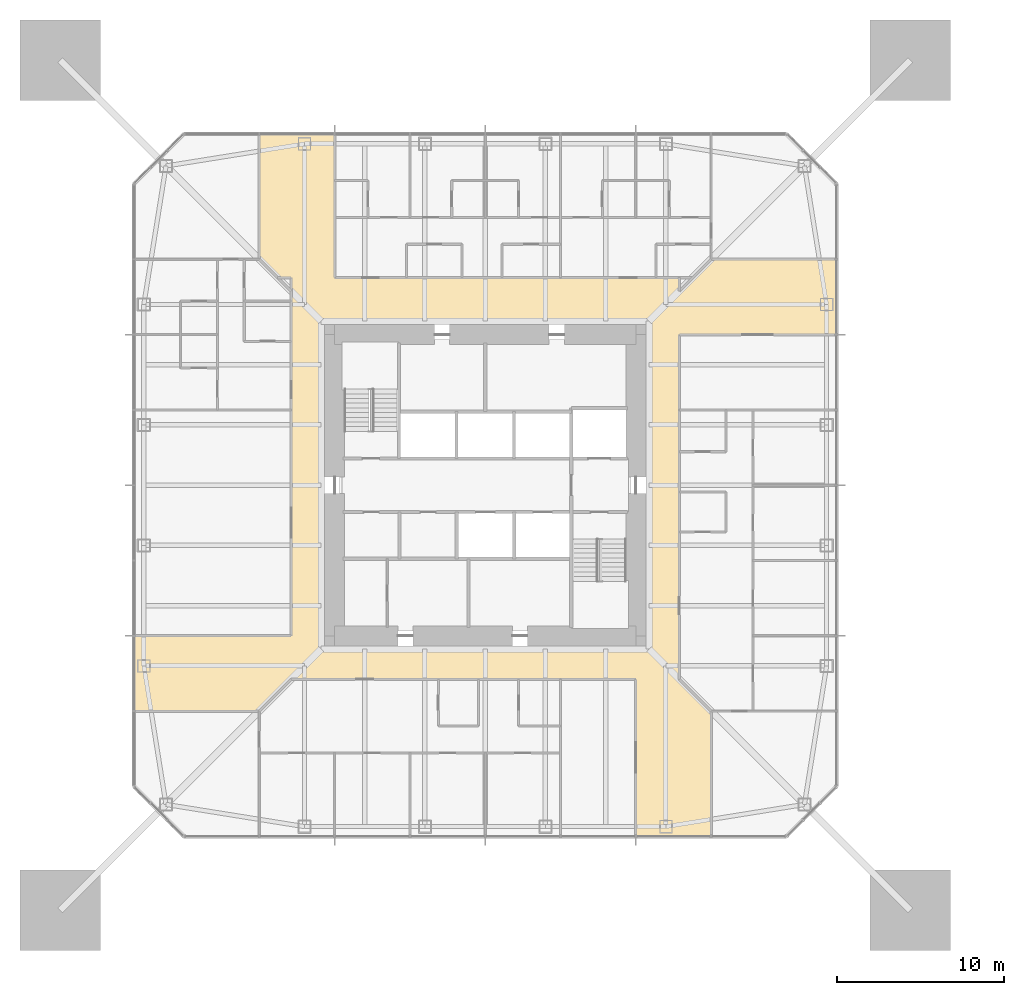
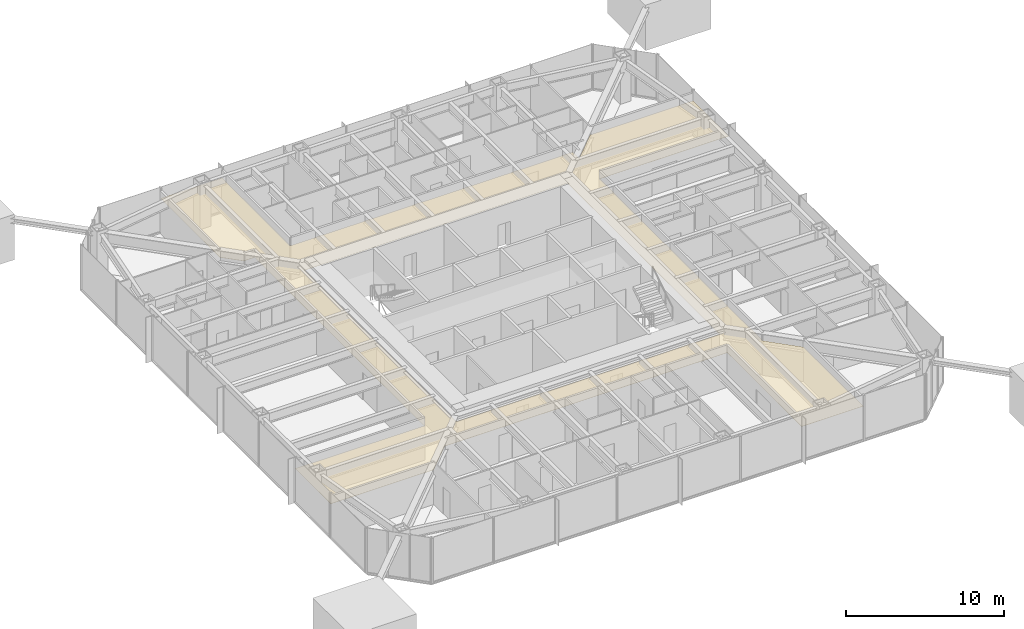
# One storey, part 22 of 25: 1 covering.
"""IFC4 building model written with IfcOpenShell, lengths in metres."""

from ifc_helpers import new_model, si_unit, direction, frame, origin, place, context, subcontext, project, spatial, polyline, outline, extrude, material, layer, layer_set, type_object, element, save


model = new_model("IFC4")

# Units and contexts
model_context = context("Model", 3, precision=1e-05, world=origin(), true_north=direction((0.0, 1.0)))
body_context = subcontext(model_context, "Body", "Model", "MODEL_VIEW")
ifc_project = project(units=[si_unit("LENGTHUNIT", "METRE"), si_unit("AREAUNIT", "SQUARE_METRE"), si_unit("VOLUMEUNIT", "CUBIC_METRE"), si_unit("PLANEANGLEUNIT", "RADIAN"), si_unit("MASSUNIT", "GRAM", prefix="KILO")], contexts=[model_context])

# Site, building, storey
site_placement = place(None, origin())
site = spatial("IfcSite", under=ifc_project, at=site_placement, CompositionType="ELEMENT")
building_placement = place(site_placement, origin())
building = spatial("IfcBuilding", under=site, at=building_placement, Name="Iwan Alto Co-Living Towers", CompositionType="ELEMENT")
storey_placement = place(building_placement, frame((0.0, 0.0, 119.0)))
storey = spatial("IfcBuildingStorey", under=building, at=storey_placement, Name="L32", CompositionType="ELEMENT", Elevation=119.0)

# Covering
ifc_material = material(Name="Gypsum plasterboard on steel grid", Category="steel")
ifc_layer = layer(ifc_material, 0.014892578125)
ifc_layer_set = layer_set([ifc_layer], Name="SUSPENDED PLASTERBOARD CEILING 15")
covering_type = type_object("IfcCoveringType", Name="SUSPENDED PLASTERBOARD CEILING 15", PredefinedType="CEILING", material=ifc_layer_set)
covering_placement = place(storey_placement, frame((0.0, 0.0, 2.60009765625)))
element("IfcCovering", 1, at=covering_placement, inside=storey, type_object=covering_type, Name="Ceiling Corridor L32", PredefinedType="CEILING", context=body_context, shape_type="SweptSolid", body=[
    extrude(outline(polyline([(13.5, -21.0), (9.0, -21.0), (9.0, -11.60009765625), (-11.60009765625, -11.60009765625), (-13.5, -13.5), (-21.0, -13.5), (-21.0, -9.0), (-11.60009765625, -9.0), (-11.60009765625, 12.39990234375), (-12.39990234375, 12.39990234375), (-13.5, 13.5), (-13.5, 21.0), (-9.0, 21.0), (-9.0, 12.39990234375), (11.60009765625, 12.39990234375), (11.60009765625, 11.60009765625), (13.5, 13.5), (21.0, 13.5), (21.0, 9.0), (11.60009765625, 9.0), (11.60009765625, -11.60009765625), (13.5, -13.5), (13.5, -21.0)]), holes=[polyline([(9.60009765625, -9.60009765625), (9.60009765625, 9.60009765625), (-9.60009765625, 9.60009765625), (-9.60009765625, -9.60009765625), (9.60009765625, -9.60009765625)])]), origin(), (0.0, 0.0, 1.0), 0.014892578125),
])

save(model, "model.ifc")
